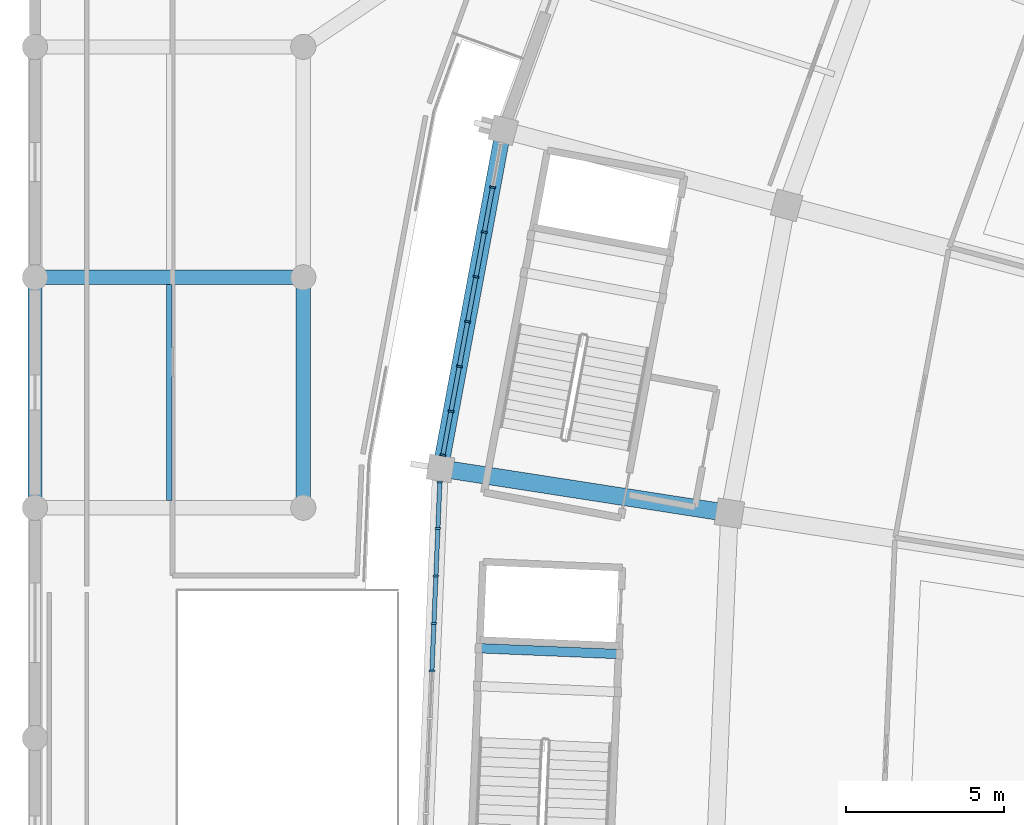
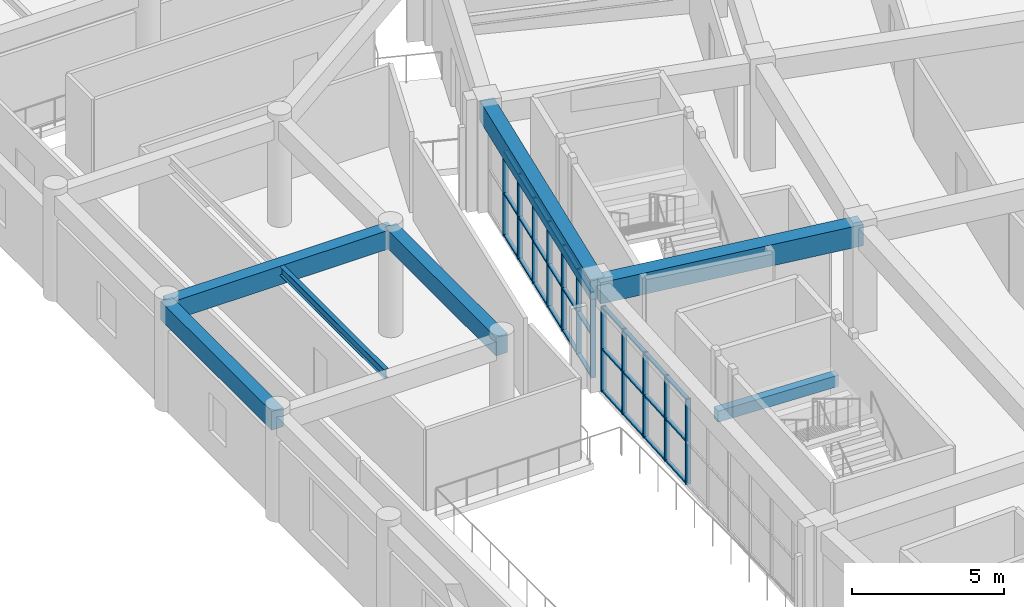
# One storey, part 29 of 145: 42 members, 7 beams, 2 elements without a shape of their own.
"""IFC4 building model written with IfcOpenShell, lengths in metres."""

from ifc_helpers import new_model, si_unit, direction, frame, origin, origin_2d, place, context, subcontext, project, spatial, rectangle, i_section, extrude, material, layer, layer_set, material_profile, profile_set, type_object, element, aggregate, save


model = new_model("IFC4")

# Units and contexts
model_context = context("Model", 3, precision=1e-05, world=origin(), true_north=direction((0.0, 1.0)))
body_context = subcontext(model_context, "Body", "Model", "MODEL_VIEW")
ifc_project = project(units=[si_unit("LENGTHUNIT", "METRE"), si_unit("AREAUNIT", "SQUARE_METRE"), si_unit("VOLUMEUNIT", "CUBIC_METRE"), si_unit("PLANEANGLEUNIT", "RADIAN"), si_unit("MASSUNIT", "GRAM", prefix="KILO")], contexts=[model_context])

# Site, building, storey
site_placement = place(None, origin())
site = spatial("IfcSite", under=ifc_project, at=site_placement, CompositionType="ELEMENT")
building_placement = place(site_placement, origin())
building = spatial("IfcBuilding", under=site, at=building_placement, Name="Mphavela Belvedere Stadium", CompositionType="ELEMENT")
storey_placement = place(building_placement, frame((0.0, 0.0, 10.199951171875)))
storey = spatial("IfcBuildingStorey", under=building, at=storey_placement, Name="L02", CompositionType="ELEMENT", Elevation=10.199951171875)

# Beams
ifc_material_1 = material(Name="Steel S355", Category="steel")
ifc_material_profile_1 = material_profile(ifc_material_1, i_section(OverallWidth=0.169921875, OverallDepth=0.360107421875, WebThickness=0.008056640625, FlangeThickness=0.0126953125, at=origin_2d()), Name="IPE 360")
ifc_profile_set_1 = profile_set([ifc_material_profile_1], Name="Steel S355")
beam_type_1 = type_object("IfcBeamType", Name="BM-JOIST-IPE360", PredefinedType="JOIST", material=ifc_profile_set_1)
beam_1_placement = place(storey_placement, frame((4.25, 101.824951171875, 4.06005859375), z_axis=(0.0, 1.0, 0.0), x_axis=(-1.0, 0.0, 0.0)))
element("IfcBeam", 1, at=beam_1_placement, inside=storey, type_object=beam_type_1, Name="West Planted Eaves Peristyle Colonnade secondary joist L02 1-8", PredefinedType="JOIST", context=body_context, shape_type="SweptSolid", body=[
    extrude(i_section(OverallWidth=0.169921875, OverallDepth=0.360107421875, WebThickness=0.008056640625, FlangeThickness=0.0126953125, at=origin_2d()), origin(), (0.0, 0.0, 1.0), 6.85009765625),
])
ifc_material_2 = material(Name="Concrete C40/50", Category="concrete")
ifc_material_profile_2 = material_profile(ifc_material_2, rectangle(XDim=0.300048828125, YDim=0.449951171875, at=origin_2d()), Name="RC 300x450")
ifc_profile_set_2 = profile_set([ifc_material_profile_2], Name="Concrete C40/50")
beam_type_2 = type_object("IfcBeamType", Name="BM-RC300x450", PredefinedType="BEAM", material=ifc_profile_set_2)
beam_2_placement = place(storey_placement, frame((18.5205078125, 96.96240234375, 1.824951171875), z_axis=(-0.999124533389, 0.041834994675, 0.0), x_axis=(-0.041834994675, -0.999124533389, 0.0)))
element("IfcBeam", 2, at=beam_2_placement, inside=storey, type_object=beam_type_2, Name="Core C07 landing trimmer beam L02-2", PredefinedType="BEAM", context=body_context, shape_type="SweptSolid", body=[
    extrude(rectangle(XDim=0.300048828125, YDim=0.449951171875, at=origin_2d()), origin(), (0.0, 0.0, 1.0), 4.47021484375),
])
ifc_material_3 = material(Name="Concrete C40/50", Category="concrete")
ifc_material_profile_3 = material_profile(ifc_material_3, rectangle(XDim=0.449951171875, YDim=0.75, at=origin_2d()), Name="RC 450x750")
ifc_profile_set_3 = profile_set([ifc_material_profile_3], Name="Concrete C40/50")
beam_type_3 = type_object("IfcBeamType", Name="BM-RC450x750", PredefinedType="BEAM", material=ifc_profile_set_3)
beam_3_placement = place(storey_placement, frame((0.0, 101.60009765625, 3.864990234375), z_axis=(0.0, 1.0, 0.0), x_axis=(-1.0, 0.0, 0.0)))
element("IfcBeam", 3, at=beam_3_placement, inside=storey, type_object=beam_type_3, Name="West Planted Eaves Peristyle Colonnade entablature beam Y L02 1-8", PredefinedType="BEAM", context=body_context, shape_type="SweptSolid", body=[
    extrude(rectangle(XDim=0.449951171875, YDim=0.75, at=origin_2d()), origin(), (0.0, 0.0, 1.0), 7.2998046875),
])
beam_4_placement = place(storey_placement, frame((0.0, 108.89990234375, 3.864990234375), z_axis=(1.0, 0.0, 0.0), x_axis=(0.0, 1.0, 0.0)))
element("IfcBeam", 4, at=beam_4_placement, inside=storey, type_object=beam_type_3, Name="West Planted Eaves Peristyle Colonnade entablature beam X L02 1-9", PredefinedType="BEAM", context=body_context, shape_type="SweptSolid", body=[
    extrude(rectangle(XDim=0.449951171875, YDim=0.75, at=origin_2d()), origin(), (0.0, 0.0, 1.0), 8.5),
])
beam_5_placement = place(storey_placement, frame((8.5, 101.60009765625, 3.864990234375), z_axis=(0.0, 1.0, 0.0), x_axis=(-1.0, 0.0, 0.0)))
element("IfcBeam", 5, at=beam_5_placement, inside=storey, type_object=beam_type_3, Name="West Planted Eaves Peristyle Colonnade entablature beam Y L02 2-8", PredefinedType="BEAM", context=body_context, shape_type="SweptSolid", body=[
    extrude(rectangle(XDim=0.449951171875, YDim=0.75, at=origin_2d()), origin(), (0.0, 0.0, 1.0), 7.2998046875),
])
ifc_material_4 = material(Name="Concrete C40/50", Category="concrete")
ifc_material_profile_4 = material_profile(ifc_material_4, rectangle(XDim=0.550048828125, YDim=0.85009765625, at=origin_2d()), Name="RC 550x850")
ifc_profile_set_4 = profile_set([ifc_material_profile_4], Name="Concrete C40/50")
beam_type_4 = type_object("IfcBeamType", Name="BM-RC550x850", PredefinedType="BEAM", material=ifc_profile_set_4)
beam_6_placement = place(storey_placement, frame((22.0, 101.4248046875, 3.824951171875), z_axis=(-0.988182369303, 0.153282761586, 0.0), x_axis=(-0.153282761586, -0.988182369303, 0.0)))
element("IfcBeam", 6, at=beam_6_placement, inside=storey, type_object=beam_type_4, Name="Radial concourse girder L02 R3R4-24", PredefinedType="BEAM", context=body_context, shape_type="SweptSolid", body=[
    extrude(rectangle(XDim=0.550048828125, YDim=0.85009765625, at=origin_2d()), origin(), (0.0, 0.0, 1.0), 9.264892578125),
])
ifc_material_5 = material(Name="Concrete C40/50", Category="concrete")
ifc_material_profile_5 = material_profile(ifc_material_5, rectangle(XDim=0.5, YDim=0.800048828125, at=origin_2d()), Name="RC 500x800")
ifc_profile_set_5 = profile_set([ifc_material_profile_5], Name="Concrete C40/50")
beam_type_5 = type_object("IfcBeamType", Name="BM-SPANDREL-800", PredefinedType="SPANDREL", material=ifc_profile_set_5)
beam_7_placement = place(storey_placement, frame((14.83544921875, 113.5625, 3.85009765625), z_axis=(-0.18264260648, -0.983179372393, 0.0), x_axis=(0.983179372393, -0.18264260648, 0.0)))
element("IfcBeam", 7, at=beam_7_placement, inside=storey, type_object=beam_type_5, Name="Circumferential girder L02 R4-23", PredefinedType="SPANDREL", context=body_context, shape_type="SweptSolid", body=[
    extrude(rectangle(XDim=0.5, YDim=0.800048828125, at=origin_2d()), origin(), (0.0, 0.0, 1.0), 10.90087890625),
])

# Curtain wall, members
ifc_material_6 = material(Name="Anodised bronze unitised curtain wall framing")
ifc_layer_1 = layer(ifc_material_6, 0.18505859375)
ifc_layer_set_1 = layer_set([ifc_layer_1], Name="Anodised bronze unitised curtain wall framing")
curtain_wall_type_1 = type_object("IfcCurtainWallType", Name="CW-UNIT-02", PredefinedType="USERDEFINED", material=ifc_layer_set_1)
curtain_wall_1_placement = place(storey_placement, origin())
curtain_wall_1 = element("IfcCurtainWall", 8, at=curtain_wall_1_placement, inside=storey, type_object=curtain_wall_type_1, Name="Belvedere colonnade curtain wall L02-23", ObjectType="UNITISED CURTAIN WALL", PredefinedType="USERDEFINED")
ifc_material_7 = material(Name="Anodised bronze extruded aluminium", Category="aluminium")
ifc_material_profile_6 = material_profile(ifc_material_7, rectangle(XDim=0.179931640625, YDim=0.06494140625, at=origin_2d()), Name="CW-MUL 180x65")
ifc_profile_set_6 = profile_set([ifc_material_profile_6], Name="Anodised bronze extruded aluminium")
member_type_1 = type_object("IfcMemberType", Name="CWM-180x65", PredefinedType="MULLION", material=ifc_profile_set_6)
member_1_placement = place(storey_placement, frame((14.4990234375, 111.751953125, 0.0), z_axis=(0.0, 0.0, 1.0), x_axis=(0.983182568174, -0.182625402503, 0.0)))
member_1 = element("IfcMember", 9, at=member_1_placement, type_object=member_type_1, Name="CW-02 mullion 2", PredefinedType="MULLION", context=body_context, shape_type="SweptSolid", body=[
    extrude(rectangle(XDim=0.179931640625, YDim=0.06494140625, at=origin_2d()), origin(), (0.0, 0.0, 1.0), 3.420166015625),
])
member_2_placement = place(storey_placement, frame((14.2353515625, 110.332763671875, 0.0), z_axis=(0.0, 0.0, 1.0), x_axis=(0.983182568174, -0.182625402503, 0.0)))
member_2 = element("IfcMember", 10, at=member_2_placement, type_object=member_type_1, Name="CW-02 mullion 3", PredefinedType="MULLION", context=body_context, shape_type="SweptSolid", body=[
    extrude(rectangle(XDim=0.179931640625, YDim=0.06494140625, at=origin_2d()), origin(), (0.0, 0.0, 1.0), 3.420166015625),
])
member_3_placement = place(storey_placement, frame((13.971923828125, 108.913330078125, 0.0), z_axis=(0.0, 0.0, 1.0), x_axis=(0.983182568174, -0.182625402503, 0.0)))
member_3 = element("IfcMember", 11, at=member_3_placement, type_object=member_type_1, Name="CW-02 mullion 4", PredefinedType="MULLION", context=body_context, shape_type="SweptSolid", body=[
    extrude(rectangle(XDim=0.179931640625, YDim=0.06494140625, at=origin_2d()), origin(), (0.0, 0.0, 1.0), 3.420166015625),
])
member_4_placement = place(storey_placement, frame((13.708251953125, 107.494140625, 0.0), z_axis=(0.0, 0.0, 1.0), x_axis=(0.983182568174, -0.182625402503, 0.0)))
member_4 = element("IfcMember", 12, at=member_4_placement, type_object=member_type_1, Name="CW-02 mullion 5", PredefinedType="MULLION", context=body_context, shape_type="SweptSolid", body=[
    extrude(rectangle(XDim=0.179931640625, YDim=0.06494140625, at=origin_2d()), origin(), (0.0, 0.0, 1.0), 3.420166015625),
])
member_5_placement = place(storey_placement, frame((13.444580078125, 106.074951171875, 0.0), z_axis=(0.0, 0.0, 1.0), x_axis=(0.983182568174, -0.182625402503, 0.0)))
member_5 = element("IfcMember", 13, at=member_5_placement, type_object=member_type_1, Name="CW-02 mullion 6", PredefinedType="MULLION", context=body_context, shape_type="SweptSolid", body=[
    extrude(rectangle(XDim=0.179931640625, YDim=0.06494140625, at=origin_2d()), origin(), (0.0, 0.0, 1.0), 3.420166015625),
])
member_6_placement = place(storey_placement, frame((13.180908203125, 104.655517578125, 0.0), z_axis=(0.0, 0.0, 1.0), x_axis=(0.983182568174, -0.182625402503, 0.0)))
member_6 = element("IfcMember", 14, at=member_6_placement, type_object=member_type_1, Name="CW-02 mullion 7", PredefinedType="MULLION", context=body_context, shape_type="SweptSolid", body=[
    extrude(rectangle(XDim=0.179931640625, YDim=0.06494140625, at=origin_2d()), origin(), (0.0, 0.0, 1.0), 3.420166015625),
])
member_7_placement = place(storey_placement, frame((12.92333984375, 103.268310546875, 0.0), z_axis=(0.0, 0.0, 1.0), x_axis=(0.983182568174, -0.182625402503, 0.0)))
member_7 = element("IfcMember", 15, at=member_7_placement, type_object=member_type_1, Name="CW-02 mullion 8", PredefinedType="MULLION", context=body_context, shape_type="SweptSolid", body=[
    extrude(rectangle(XDim=0.179931640625, YDim=0.06494140625, at=origin_2d()), origin(), (0.0, 0.0, 1.0), 3.420166015625),
])

ifc_material_8 = material(Name="Anodised bronze unitised curtain wall framing")
ifc_layer_2 = layer(ifc_material_8, 0.18994140625)
ifc_layer_set_2 = layer_set([ifc_layer_2], Name="Anodised bronze unitised curtain wall framing")
curtain_wall_type_2 = type_object("IfcCurtainWallType", Name="CW-UNIT-03", PredefinedType="USERDEFINED", material=ifc_layer_set_2)
curtain_wall_2_placement = place(storey_placement, origin())
curtain_wall_2 = element("IfcCurtainWall", 16, at=curtain_wall_2_placement, inside=storey, type_object=curtain_wall_type_2, Name="Belvedere colonnade curtain wall L02-24", ObjectType="UNITISED CURTAIN WALL", PredefinedType="USERDEFINED")
member_8_placement = place(storey_placement, frame((12.82666015625, 102.414794921875, 0.0), z_axis=(0.0, 0.0, 1.0), x_axis=(0.999121621767, -0.04190447371, 0.0)))
member_8 = element("IfcMember", 17, at=member_8_placement, type_object=member_type_1, Name="CW-03 mullion 1", PredefinedType="MULLION", context=body_context, shape_type="SweptSolid", body=[
    extrude(rectangle(XDim=0.179931640625, YDim=0.06494140625, at=origin_2d()), origin(), (0.0, 0.0, 1.0), 3.420166015625),
])
member_9_placement = place(storey_placement, frame((12.764892578125, 100.9423828125, 0.0), z_axis=(0.0, 0.0, 1.0), x_axis=(0.999121621767, -0.04190447371, 0.0)))
member_9 = element("IfcMember", 18, at=member_9_placement, type_object=member_type_1, Name="CW-03 mullion 2", PredefinedType="MULLION", context=body_context, shape_type="SweptSolid", body=[
    extrude(rectangle(XDim=0.179931640625, YDim=0.06494140625, at=origin_2d()), origin(), (0.0, 0.0, 1.0), 3.420166015625),
])
member_10_placement = place(storey_placement, frame((12.70166015625, 99.4375, 0.0), z_axis=(0.0, 0.0, 1.0), x_axis=(0.999121621767, -0.04190447371, 0.0)))
member_10 = element("IfcMember", 19, at=member_10_placement, type_object=member_type_1, Name="CW-03 mullion 3", PredefinedType="MULLION", context=body_context, shape_type="SweptSolid", body=[
    extrude(rectangle(XDim=0.179931640625, YDim=0.06494140625, at=origin_2d()), origin(), (0.0, 0.0, 1.0), 3.420166015625),
])
member_11_placement = place(storey_placement, frame((12.638427734375, 97.932373046875, 0.0), z_axis=(0.0, 0.0, 1.0), x_axis=(0.999121621767, -0.04190447371, 0.0)))
member_11 = element("IfcMember", 20, at=member_11_placement, type_object=member_type_1, Name="CW-03 mullion 4", PredefinedType="MULLION", context=body_context, shape_type="SweptSolid", body=[
    extrude(rectangle(XDim=0.179931640625, YDim=0.06494140625, at=origin_2d()), origin(), (0.0, 0.0, 1.0), 3.420166015625),
])
member_12_placement = place(storey_placement, frame((12.575439453125, 96.427490234375, 0.0), z_axis=(0.0, 0.0, 1.0), x_axis=(0.999121621767, -0.04190447371, 0.0)))
member_12 = element("IfcMember", 21, at=member_12_placement, type_object=member_type_1, Name="CW-03 mullion 5", PredefinedType="MULLION", context=body_context, shape_type="SweptSolid", body=[
    extrude(rectangle(XDim=0.179931640625, YDim=0.06494140625, at=origin_2d()), origin(), (0.0, 0.0, 1.0), 3.420166015625),
])

# Member
ifc_material_9 = material(Name="Anodised bronze extruded aluminium", Category="aluminium")
ifc_material_profile_7 = material_profile(ifc_material_9, rectangle(XDim=0.139892578125, YDim=0.06005859375, at=origin_2d()), Name="CW-TRN 140x60")
ifc_profile_set_7 = profile_set([ifc_material_profile_7], Name="Anodised bronze extruded aluminium")
member_type_2 = type_object("IfcMemberType", Name="CWT-140x60", PredefinedType="USERDEFINED", material=ifc_profile_set_7)
member_13_placement = place(storey_placement, frame((14.4931640625, 111.719970703125, 0.030029296875), z_axis=(-0.182577520933, -0.983191460932, 0.0), x_axis=(0.983191460932, -0.182577520933, 0.0)))
member_13 = element("IfcMember", 22, at=member_13_placement, type_object=member_type_2, Name="CW-02 transom 2.1", ObjectType="TRANSOM", PredefinedType="USERDEFINED", context=body_context, shape_type="SweptSolid", body=[
    extrude(rectangle(XDim=0.139892578125, YDim=0.06005859375, at=origin_2d()), origin(), (0.0, 0.0, 1.0), 1.378662109375),
])

member_14_placement = place(storey_placement, frame((14.4931640625, 111.719970703125, 1.7099609375), z_axis=(-0.182577520933, -0.983191460932, 0.0), x_axis=(0.983191460932, -0.182577520933, 0.0)))
member_14 = element("IfcMember", 23, at=member_14_placement, type_object=member_type_2, Name="CW-02 transom 2.2", ObjectType="TRANSOM", PredefinedType="USERDEFINED", context=body_context, shape_type="SweptSolid", body=[
    extrude(rectangle(XDim=0.139892578125, YDim=0.06005859375, at=origin_2d()), origin(), (0.0, 0.0, 1.0), 1.378662109375),
])

member_15_placement = place(storey_placement, frame((14.4931640625, 111.719970703125, 3.39013671875), z_axis=(-0.182577520933, -0.983191460932, 0.0), x_axis=(0.983191460932, -0.182577520933, 0.0)))
member_15 = element("IfcMember", 24, at=member_15_placement, type_object=member_type_2, Name="CW-02 transom 2.3", ObjectType="TRANSOM", PredefinedType="USERDEFINED", context=body_context, shape_type="SweptSolid", body=[
    extrude(rectangle(XDim=0.139892578125, YDim=0.06005859375, at=origin_2d()), origin(), (0.0, 0.0, 1.0), 1.378662109375),
])

member_16_placement = place(storey_placement, frame((14.2294921875, 110.30078125, 0.030029296875), z_axis=(-0.182577520933, -0.983191460932, 0.0), x_axis=(0.983191460932, -0.182577520933, 0.0)))
member_16 = element("IfcMember", 25, at=member_16_placement, type_object=member_type_2, Name="CW-02 transom 3.1", ObjectType="TRANSOM", PredefinedType="USERDEFINED", context=body_context, shape_type="SweptSolid", body=[
    extrude(rectangle(XDim=0.139892578125, YDim=0.06005859375, at=origin_2d()), origin(), (0.0, 0.0, 1.0), 1.378662109375),
])

member_17_placement = place(storey_placement, frame((14.2294921875, 110.30078125, 1.7099609375), z_axis=(-0.182577520933, -0.983191460932, 0.0), x_axis=(0.983191460932, -0.182577520933, 0.0)))
member_17 = element("IfcMember", 26, at=member_17_placement, type_object=member_type_2, Name="CW-02 transom 3.2", ObjectType="TRANSOM", PredefinedType="USERDEFINED", context=body_context, shape_type="SweptSolid", body=[
    extrude(rectangle(XDim=0.139892578125, YDim=0.06005859375, at=origin_2d()), origin(), (0.0, 0.0, 1.0), 1.378662109375),
])

member_18_placement = place(storey_placement, frame((14.2294921875, 110.30078125, 3.39013671875), z_axis=(-0.182577520933, -0.983191460932, 0.0), x_axis=(0.983191460932, -0.182577520933, 0.0)))
member_18 = element("IfcMember", 27, at=member_18_placement, type_object=member_type_2, Name="CW-02 transom 3.3", ObjectType="TRANSOM", PredefinedType="USERDEFINED", context=body_context, shape_type="SweptSolid", body=[
    extrude(rectangle(XDim=0.139892578125, YDim=0.06005859375, at=origin_2d()), origin(), (0.0, 0.0, 1.0), 1.378662109375),
])

member_19_placement = place(storey_placement, frame((13.9658203125, 108.88134765625, 0.030029296875), z_axis=(-0.182609315167, -0.983185556248, 0.0), x_axis=(0.983185556248, -0.182609315167, 0.0)))
member_19 = element("IfcMember", 28, at=member_19_placement, type_object=member_type_2, Name="CW-02 transom 4.1", ObjectType="TRANSOM", PredefinedType="USERDEFINED", context=body_context, shape_type="SweptSolid", body=[
    extrude(rectangle(XDim=0.139892578125, YDim=0.06005859375, at=origin_2d()), origin(), (0.0, 0.0, 1.0), 1.37841796875),
])

member_20_placement = place(storey_placement, frame((13.9658203125, 108.88134765625, 1.7099609375), z_axis=(-0.182609315167, -0.983185556248, 0.0), x_axis=(0.983185556248, -0.182609315167, 0.0)))
member_20 = element("IfcMember", 29, at=member_20_placement, type_object=member_type_2, Name="CW-02 transom 4.2", ObjectType="TRANSOM", PredefinedType="USERDEFINED", context=body_context, shape_type="SweptSolid", body=[
    extrude(rectangle(XDim=0.139892578125, YDim=0.06005859375, at=origin_2d()), origin(), (0.0, 0.0, 1.0), 1.37841796875),
])

member_21_placement = place(storey_placement, frame((13.9658203125, 108.88134765625, 3.39013671875), z_axis=(-0.182609315167, -0.983185556248, 0.0), x_axis=(0.983185556248, -0.182609315167, 0.0)))
member_21 = element("IfcMember", 30, at=member_21_placement, type_object=member_type_2, Name="CW-02 transom 4.3", ObjectType="TRANSOM", PredefinedType="USERDEFINED", context=body_context, shape_type="SweptSolid", body=[
    extrude(rectangle(XDim=0.139892578125, YDim=0.06005859375, at=origin_2d()), origin(), (0.0, 0.0, 1.0), 1.37841796875),
])

member_22_placement = place(storey_placement, frame((13.7021484375, 107.462158203125, 0.030029296875), z_axis=(-0.182577520933, -0.983191460932, 0.0), x_axis=(0.983191460932, -0.182577520933, 0.0)))
member_22 = element("IfcMember", 31, at=member_22_placement, type_object=member_type_2, Name="CW-02 transom 5.1", ObjectType="TRANSOM", PredefinedType="USERDEFINED", context=body_context, shape_type="SweptSolid", body=[
    extrude(rectangle(XDim=0.139892578125, YDim=0.06005859375, at=origin_2d()), origin(), (0.0, 0.0, 1.0), 1.378662109375),
])

member_23_placement = place(storey_placement, frame((13.7021484375, 107.462158203125, 1.7099609375), z_axis=(-0.182577520933, -0.983191460932, 0.0), x_axis=(0.983191460932, -0.182577520933, 0.0)))
member_23 = element("IfcMember", 32, at=member_23_placement, type_object=member_type_2, Name="CW-02 transom 5.2", ObjectType="TRANSOM", PredefinedType="USERDEFINED", context=body_context, shape_type="SweptSolid", body=[
    extrude(rectangle(XDim=0.139892578125, YDim=0.06005859375, at=origin_2d()), origin(), (0.0, 0.0, 1.0), 1.378662109375),
])

member_24_placement = place(storey_placement, frame((13.7021484375, 107.462158203125, 3.39013671875), z_axis=(-0.182577520933, -0.983191460932, 0.0), x_axis=(0.983191460932, -0.182577520933, 0.0)))
member_24 = element("IfcMember", 33, at=member_24_placement, type_object=member_type_2, Name="CW-02 transom 5.3", ObjectType="TRANSOM", PredefinedType="USERDEFINED", context=body_context, shape_type="SweptSolid", body=[
    extrude(rectangle(XDim=0.139892578125, YDim=0.06005859375, at=origin_2d()), origin(), (0.0, 0.0, 1.0), 1.378662109375),
])

member_25_placement = place(storey_placement, frame((13.438720703125, 106.04296875, 0.030029296875), z_axis=(-0.182748697286, -0.983159658265, 0.0), x_axis=(0.983159658265, -0.182748697286, 0.0)))
member_25 = element("IfcMember", 34, at=member_25_placement, type_object=member_type_2, Name="CW-02 transom 6.1", ObjectType="TRANSOM", PredefinedType="USERDEFINED", context=body_context, shape_type="SweptSolid", body=[
    extrude(rectangle(XDim=0.139892578125, YDim=0.06005859375, at=origin_2d()), origin(), (0.0, 0.0, 1.0), 1.378662109375),
])

member_26_placement = place(storey_placement, frame((13.438720703125, 106.04296875, 1.7099609375), z_axis=(-0.182748697286, -0.983159658265, 0.0), x_axis=(0.983159658265, -0.182748697286, 0.0)))
member_26 = element("IfcMember", 35, at=member_26_placement, type_object=member_type_2, Name="CW-02 transom 6.2", ObjectType="TRANSOM", PredefinedType="USERDEFINED", context=body_context, shape_type="SweptSolid", body=[
    extrude(rectangle(XDim=0.139892578125, YDim=0.06005859375, at=origin_2d()), origin(), (0.0, 0.0, 1.0), 1.378662109375),
])

member_27_placement = place(storey_placement, frame((13.438720703125, 106.04296875, 3.39013671875), z_axis=(-0.182748697286, -0.983159658265, 0.0), x_axis=(0.983159658265, -0.182748697286, 0.0)))
member_27 = element("IfcMember", 36, at=member_27_placement, type_object=member_type_2, Name="CW-02 transom 6.3", ObjectType="TRANSOM", PredefinedType="USERDEFINED", context=body_context, shape_type="SweptSolid", body=[
    extrude(rectangle(XDim=0.139892578125, YDim=0.06005859375, at=origin_2d()), origin(), (0.0, 0.0, 1.0), 1.378662109375),
])

member_28_placement = place(storey_placement, frame((13.175048828125, 104.62353515625, 0.030029296875), z_axis=(-0.182667343216, -0.983174776793, 0.0), x_axis=(0.983174776793, -0.182667343216, 0.0)))
member_28 = element("IfcMember", 37, at=member_28_placement, type_object=member_type_2, Name="CW-02 transom 7.1", ObjectType="TRANSOM", PredefinedType="USERDEFINED", context=body_context, shape_type="SweptSolid", body=[
    extrude(rectangle(XDim=0.139892578125, YDim=0.06005859375, at=origin_2d()), origin(), (0.0, 0.0, 1.0), 1.345947265625),
])

member_29_placement = place(storey_placement, frame((13.175048828125, 104.62353515625, 1.7099609375), z_axis=(-0.182667343216, -0.983174776793, 0.0), x_axis=(0.983174776793, -0.182667343216, 0.0)))
member_29 = element("IfcMember", 38, at=member_29_placement, type_object=member_type_2, Name="CW-02 transom 7.2", ObjectType="TRANSOM", PredefinedType="USERDEFINED", context=body_context, shape_type="SweptSolid", body=[
    extrude(rectangle(XDim=0.139892578125, YDim=0.06005859375, at=origin_2d()), origin(), (0.0, 0.0, 1.0), 1.345947265625),
])

member_30_placement = place(storey_placement, frame((13.175048828125, 104.62353515625, 3.39013671875), z_axis=(-0.182667343216, -0.983174776793, 0.0), x_axis=(0.983174776793, -0.182667343216, 0.0)))
member_30 = element("IfcMember", 39, at=member_30_placement, type_object=member_type_2, Name="CW-02 transom 7.3", ObjectType="TRANSOM", PredefinedType="USERDEFINED", context=body_context, shape_type="SweptSolid", body=[
    extrude(rectangle(XDim=0.139892578125, YDim=0.06005859375, at=origin_2d()), origin(), (0.0, 0.0, 1.0), 1.345947265625),
])

aggregate(curtain_wall_1, [member_1, member_2, member_3, member_4, member_5, member_6, member_7, member_13, member_14, member_15, member_16, member_17, member_18, member_19, member_20, member_21, member_22, member_23, member_24, member_25, member_26, member_27, member_28, member_29, member_30])

member_31_placement = place(storey_placement, frame((12.8251953125, 102.38232421875, 0.030029296875), z_axis=(-0.041940514571, -0.999120109515, 0.0), x_axis=(0.999120109515, -0.041940514571, 0.0)))
member_31 = element("IfcMember", 40, at=member_31_placement, type_object=member_type_2, Name="CW-03 transom 1.1", ObjectType="TRANSOM", PredefinedType="USERDEFINED", context=body_context, shape_type="SweptSolid", body=[
    extrude(rectangle(XDim=0.139892578125, YDim=0.06005859375, at=origin_2d()), origin(), (0.0, 0.0, 1.0), 1.40869140625),
])

member_32_placement = place(storey_placement, frame((12.8251953125, 102.38232421875, 1.7099609375), z_axis=(-0.041940514571, -0.999120109515, 0.0), x_axis=(0.999120109515, -0.041940514571, 0.0)))
member_32 = element("IfcMember", 41, at=member_32_placement, type_object=member_type_2, Name="CW-03 transom 1.2", ObjectType="TRANSOM", PredefinedType="USERDEFINED", context=body_context, shape_type="SweptSolid", body=[
    extrude(rectangle(XDim=0.139892578125, YDim=0.06005859375, at=origin_2d()), origin(), (0.0, 0.0, 1.0), 1.40869140625),
])

member_33_placement = place(storey_placement, frame((12.8251953125, 102.38232421875, 3.39013671875), z_axis=(-0.041940514571, -0.999120109515, 0.0), x_axis=(0.999120109515, -0.041940514571, 0.0)))
member_33 = element("IfcMember", 42, at=member_33_placement, type_object=member_type_2, Name="CW-03 transom 1.3", ObjectType="TRANSOM", PredefinedType="USERDEFINED", context=body_context, shape_type="SweptSolid", body=[
    extrude(rectangle(XDim=0.139892578125, YDim=0.06005859375, at=origin_2d()), origin(), (0.0, 0.0, 1.0), 1.40869140625),
])

member_34_placement = place(storey_placement, frame((12.763427734375, 100.909912109375, 0.030029296875), z_axis=(-0.04184192744, -0.999124243079, 0.0), x_axis=(0.999124243079, -0.04184192744, 0.0)))
member_34 = element("IfcMember", 43, at=member_34_placement, type_object=member_type_2, Name="CW-03 transom 2.1", ObjectType="TRANSOM", PredefinedType="USERDEFINED", context=body_context, shape_type="SweptSolid", body=[
    extrude(rectangle(XDim=0.139892578125, YDim=0.06005859375, at=origin_2d()), origin(), (0.0, 0.0, 1.0), 1.441162109375),
])

member_35_placement = place(storey_placement, frame((12.763427734375, 100.909912109375, 1.7099609375), z_axis=(-0.04184192744, -0.999124243079, 0.0), x_axis=(0.999124243079, -0.04184192744, 0.0)))
member_35 = element("IfcMember", 44, at=member_35_placement, type_object=member_type_2, Name="CW-03 transom 2.2", ObjectType="TRANSOM", PredefinedType="USERDEFINED", context=body_context, shape_type="SweptSolid", body=[
    extrude(rectangle(XDim=0.139892578125, YDim=0.06005859375, at=origin_2d()), origin(), (0.0, 0.0, 1.0), 1.441162109375),
])

member_36_placement = place(storey_placement, frame((12.763427734375, 100.909912109375, 3.39013671875), z_axis=(-0.04184192744, -0.999124243079, 0.0), x_axis=(0.999124243079, -0.04184192744, 0.0)))
member_36 = element("IfcMember", 45, at=member_36_placement, type_object=member_type_2, Name="CW-03 transom 2.3", ObjectType="TRANSOM", PredefinedType="USERDEFINED", context=body_context, shape_type="SweptSolid", body=[
    extrude(rectangle(XDim=0.139892578125, YDim=0.06005859375, at=origin_2d()), origin(), (0.0, 0.0, 1.0), 1.441162109375),
])

member_37_placement = place(storey_placement, frame((12.7001953125, 99.405029296875, 0.030029296875), z_axis=(-0.041834846801, -0.999124539581, 0.0), x_axis=(0.999124539581, -0.041834846801, 0.0)))
member_37 = element("IfcMember", 46, at=member_37_placement, type_object=member_type_2, Name="CW-03 transom 3.1", ObjectType="TRANSOM", PredefinedType="USERDEFINED", context=body_context, shape_type="SweptSolid", body=[
    extrude(rectangle(XDim=0.139892578125, YDim=0.06005859375, at=origin_2d()), origin(), (0.0, 0.0, 1.0), 1.44140625),
])

member_38_placement = place(storey_placement, frame((12.7001953125, 99.405029296875, 1.7099609375), z_axis=(-0.041834846801, -0.999124539581, 0.0), x_axis=(0.999124539581, -0.041834846801, 0.0)))
member_38 = element("IfcMember", 47, at=member_38_placement, type_object=member_type_2, Name="CW-03 transom 3.2", ObjectType="TRANSOM", PredefinedType="USERDEFINED", context=body_context, shape_type="SweptSolid", body=[
    extrude(rectangle(XDim=0.139892578125, YDim=0.06005859375, at=origin_2d()), origin(), (0.0, 0.0, 1.0), 1.44140625),
])

member_39_placement = place(storey_placement, frame((12.7001953125, 99.405029296875, 3.39013671875), z_axis=(-0.041834846801, -0.999124539581, 0.0), x_axis=(0.999124539581, -0.041834846801, 0.0)))
member_39 = element("IfcMember", 48, at=member_39_placement, type_object=member_type_2, Name="CW-03 transom 3.3", ObjectType="TRANSOM", PredefinedType="USERDEFINED", context=body_context, shape_type="SweptSolid", body=[
    extrude(rectangle(XDim=0.139892578125, YDim=0.06005859375, at=origin_2d()), origin(), (0.0, 0.0, 1.0), 1.44140625),
])

member_40_placement = place(storey_placement, frame((12.63720703125, 97.89990234375, 0.030029296875), z_axis=(-0.042011029578, -0.999117146982, 0.0), x_axis=(0.999117146982, -0.042011029578, 0.0)))
member_40 = element("IfcMember", 49, at=member_40_placement, type_object=member_type_2, Name="CW-03 transom 4.1", ObjectType="TRANSOM", PredefinedType="USERDEFINED", context=body_context, shape_type="SweptSolid", body=[
    extrude(rectangle(XDim=0.139892578125, YDim=0.06005859375, at=origin_2d()), origin(), (0.0, 0.0, 1.0), 1.441162109375),
])

member_41_placement = place(storey_placement, frame((12.63720703125, 97.89990234375, 1.7099609375), z_axis=(-0.042011029578, -0.999117146982, 0.0), x_axis=(0.999117146982, -0.042011029578, 0.0)))
member_41 = element("IfcMember", 50, at=member_41_placement, type_object=member_type_2, Name="CW-03 transom 4.2", ObjectType="TRANSOM", PredefinedType="USERDEFINED", context=body_context, shape_type="SweptSolid", body=[
    extrude(rectangle(XDim=0.139892578125, YDim=0.06005859375, at=origin_2d()), origin(), (0.0, 0.0, 1.0), 1.441162109375),
])

member_42_placement = place(storey_placement, frame((12.63720703125, 97.89990234375, 3.39013671875), z_axis=(-0.042011029578, -0.999117146982, 0.0), x_axis=(0.999117146982, -0.042011029578, 0.0)))
member_42 = element("IfcMember", 51, at=member_42_placement, type_object=member_type_2, Name="CW-03 transom 4.3", ObjectType="TRANSOM", PredefinedType="USERDEFINED", context=body_context, shape_type="SweptSolid", body=[
    extrude(rectangle(XDim=0.139892578125, YDim=0.06005859375, at=origin_2d()), origin(), (0.0, 0.0, 1.0), 1.441162109375),
])

aggregate(curtain_wall_2, [member_8, member_9, member_10, member_11, member_12, member_31, member_32, member_33, member_34, member_35, member_36, member_37, member_38, member_39, member_40, member_41, member_42])

save(model, "model.ifc")
